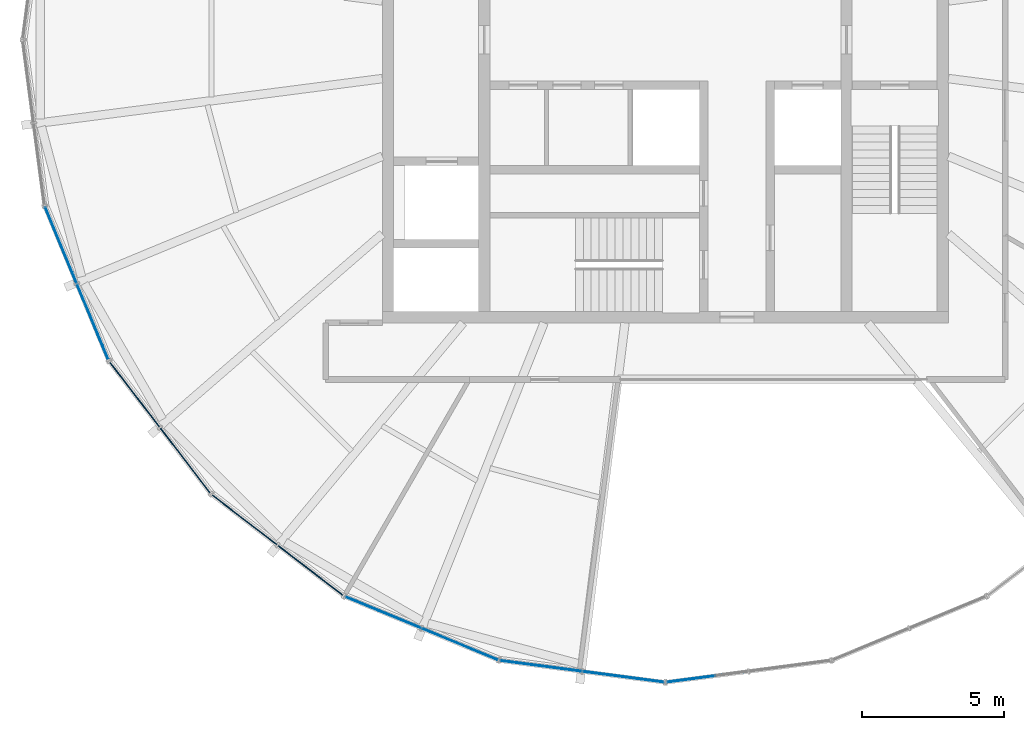
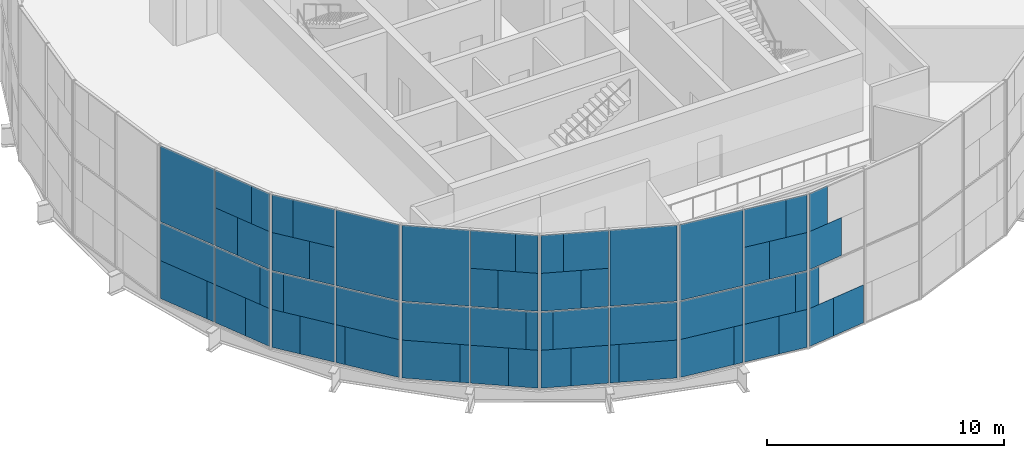
# One storey, part 8 of 19: 65 plates, 6 elements without a shape of their own.
"""IFC4 building model written with IfcOpenShell, lengths in metres."""

from ifc_helpers import new_model, si_unit, direction, frame, origin, origin_2d, place, context, subcontext, project, spatial, rectangle, extrude, material, layer, layer_set, type_object, element, aggregate, save


model = new_model("IFC4")

# Units and contexts
model_context = context("Model", 3, precision=1e-05, world=origin(), true_north=direction((0.0, 1.0)))
body_context = subcontext(model_context, "Body", "Model", "MODEL_VIEW")
ifc_project = project(units=[si_unit("LENGTHUNIT", "METRE"), si_unit("AREAUNIT", "SQUARE_METRE"), si_unit("VOLUMEUNIT", "CUBIC_METRE"), si_unit("PLANEANGLEUNIT", "RADIAN"), si_unit("MASSUNIT", "GRAM", prefix="KILO")], contexts=[model_context])

# Site, building, storey
site_placement = place(None, origin())
site = spatial("IfcSite", under=ifc_project, at=site_placement, CompositionType="ELEMENT")
building_placement = place(site_placement, origin())
building = spatial("IfcBuilding", under=site, at=building_placement, Name="Golbaran Civic Tower", CompositionType="ELEMENT")
storey_placement = place(building_placement, frame((0.0, 0.0, 240.0)))
storey = spatial("IfcBuildingStorey", under=building, at=storey_placement, Name="L58", CompositionType="ELEMENT", Elevation=240.0)

# Curtain wall, plates
ifc_material_1 = material(Name="Aluminium and glass", Category="aluminium")
curtain_wall_type = type_object("IfcCurtainWallType", Name="INNER SKIN CURTAIN WALL EXECUTIVE", PredefinedType="NOTDEFINED", material=ifc_material_1)
curtain_wall_1_placement = place(storey_placement, origin())
curtain_wall_1 = element("IfcCurtainWall", 1, at=curtain_wall_1_placement, inside=storey, type_object=curtain_wall_type, Name="Inner skin L58 facet 14 CW2", ObjectType="INNER SKIN", PredefinedType="USERDEFINED")
ifc_material_2 = material(Name="Clear insulating glass", Category="glass")
ifc_layer_1 = layer(ifc_material_2, 0.031982421875, Name="Clear insulating glass")
ifc_layer_set_1 = layer_set([ifc_layer_1], Name="Clear insulating glass")
plate_type_1 = type_object("IfcPlateType", Name="INNER SKIN CURTAIN WALL EXECUTIVE GLAZED PANEL", PredefinedType="CURTAIN_PANEL", material=ifc_layer_set_1)
plate_1_placement = place(storey_placement, frame((-21.4306640625, -7.072021484375, 0.06005859375), z_axis=(0.0, 0.0, 1.0), x_axis=(0.382683432397, -0.923879532498, 0.0)))
plate_1 = element("IfcPlate", 2, at=plate_1_placement, type_object=plate_type_1, Name="CW2 panel 1.1 part 1", PredefinedType="CURTAIN_PANEL", context=body_context, shape_type="SweptSolid", body=[
    extrude(rectangle(XDim=2.470947265625, YDim=0.031982421875, at=origin_2d()), origin(), (0.0, 0.0, 1.0), 1.955078125),
])
plate_2_placement = place(storey_placement, frame((-21.353759765625, -7.2578125, 2.014892578125), z_axis=(0.0, 0.0, 1.0), x_axis=(0.382683432397, -0.923879532498, 0.0)))
plate_2 = element("IfcPlate", 3, at=plate_2_placement, type_object=plate_type_1, Name="CW2 panel 1.1 part 3", PredefinedType="CURTAIN_PANEL", context=body_context, shape_type="SweptSolid", body=[
    extrude(rectangle(XDim=2.873046875, YDim=0.031982421875, at=origin_2d()), origin(), (0.0, 0.0, 1.0), 1.955078125),
])
plate_3_placement = place(storey_placement, frame((-21.353759765625, -7.2578125, 4.0302734375), z_axis=(0.0, 0.0, 1.0), x_axis=(0.382683432397, -0.923879532498, 0.0)))
plate_3 = element("IfcPlate", 4, at=plate_3_placement, type_object=plate_type_1, Name="CW2 panel 1.2", PredefinedType="CURTAIN_PANEL", context=body_context, shape_type="SweptSolid", body=[
    extrude(rectangle(XDim=2.873046875, YDim=0.031982421875, at=origin_2d()), origin(), (0.0, 0.0, 1.0), 3.909912109375),
])
plate_4_placement = place(storey_placement, frame((-19.9248046875, -10.7080078125, 0.06005859375), z_axis=(0.0, 0.0, 1.0), x_axis=(0.382683432397, -0.923879532498, 0.0)))
plate_4 = element("IfcPlate", 5, at=plate_4_placement, type_object=plate_type_1, Name="CW2 panel 2.1 part 2", PredefinedType="CURTAIN_PANEL", context=body_context, shape_type="SweptSolid", body=[
    extrude(rectangle(XDim=1.27001953125, YDim=0.031982421875, at=origin_2d()), origin(), (0.0, 0.0, 1.0), 1.955078125),
])
plate_5_placement = place(storey_placement, frame((-19.780517578125, -11.05615234375, 2.014892578125), z_axis=(0.0, 0.0, 1.0), x_axis=(0.382683432397, -0.923879532498, 0.0)))
plate_5 = element("IfcPlate", 6, at=plate_5_placement, type_object=plate_type_1, Name="CW2 panel 2.1 part 4", PredefinedType="CURTAIN_PANEL", context=body_context, shape_type="SweptSolid", body=[
    extrude(rectangle(XDim=0.515869140625, YDim=0.031982421875, at=origin_2d()), origin(), (0.0, 0.0, 1.0), 1.955078125),
])
plate_6_placement = place(storey_placement, frame((-20.559326171875, -9.17626953125, 4.030029296875), z_axis=(0.0, 0.0, 1.0), x_axis=(0.382683432397, -0.923879532498, 0.0)))
plate_6 = element("IfcPlate", 7, at=plate_6_placement, type_object=plate_type_1, Name="CW2 panel 2.2 part 1", PredefinedType="CURTAIN_PANEL", context=body_context, shape_type="SweptSolid", body=[
    extrude(rectangle(XDim=1.159912109375, YDim=0.031982421875, at=origin_2d()), origin(), (0.0, 0.0, 1.0), 1.955078125),
])
plate_7_placement = place(storey_placement, frame((-20.4150390625, -9.5244140625, 5.98486328125), z_axis=(0.0, 0.0, 1.0), x_axis=(0.382683432397, -0.923879532498, 0.0)))
plate_7 = element("IfcPlate", 8, at=plate_7_placement, type_object=plate_type_1, Name="CW2 panel 2.2 part 3", PredefinedType="CURTAIN_PANEL", context=body_context, shape_type="SweptSolid", body=[
    extrude(rectangle(XDim=1.9140625, YDim=0.031982421875, at=origin_2d()), origin(), (0.0, 0.0, 1.0), 1.955078125),
])

curtain_wall_2_placement = place(storey_placement, origin())
curtain_wall_2 = element("IfcCurtainWall", 9, at=curtain_wall_2_placement, inside=storey, type_object=curtain_wall_type, Name="Inner skin L58 facet 15 CW2", ObjectType="INNER SKIN", PredefinedType="USERDEFINED")
plate_8_placement = place(storey_placement, frame((-19.235595703125, -11.9013671875, 0.06005859375), z_axis=(0.0, 0.0, 1.0), x_axis=(0.608761429009, -0.793353340291, 0.0)))
plate_8 = element("IfcPlate", 10, at=plate_8_placement, type_object=plate_type_1, Name="CW2 panel 1.1 part 1", PredefinedType="CURTAIN_PANEL", context=body_context, shape_type="SweptSolid", body=[
    extrude(rectangle(XDim=1.27001953125, YDim=0.031982421875, at=origin_2d()), origin(), (0.0, 0.0, 1.0), 1.955078125),
])
plate_9_placement = place(storey_placement, frame((-19.465087890625, -11.602294921875, 2.014892578125), z_axis=(0.0, 0.0, 1.0), x_axis=(0.608761429009, -0.793353340291, 0.0)))
plate_9 = element("IfcPlate", 11, at=plate_9_placement, type_object=plate_type_1, Name="CW2 panel 1.1 part 3", PredefinedType="CURTAIN_PANEL", context=body_context, shape_type="SweptSolid", body=[
    extrude(rectangle(XDim=0.51611328125, YDim=0.031982421875, at=origin_2d()), origin(), (0.0, 0.0, 1.0), 1.955078125),
])
plate_10_placement = place(storey_placement, frame((-18.226318359375, -13.216796875, 4.030029296875), z_axis=(0.0, 0.0, 1.0), x_axis=(0.608761429009, -0.793353340291, 0.0)))
plate_10 = element("IfcPlate", 12, at=plate_10_placement, type_object=plate_type_1, Name="CW2 panel 1.2 part 2", PredefinedType="CURTAIN_PANEL", context=body_context, shape_type="SweptSolid", body=[
    extrude(rectangle(XDim=1.159912109375, YDim=0.031982421875, at=origin_2d()), origin(), (0.0, 0.0, 1.0), 1.955078125),
])
plate_11_placement = place(storey_placement, frame((-18.455810546875, -12.917724609375, 5.98486328125), z_axis=(0.0, 0.0, 1.0), x_axis=(0.608761429009, -0.793353340291, 0.0)))
plate_11 = element("IfcPlate", 13, at=plate_11_placement, type_object=plate_type_1, Name="CW2 panel 1.2 part 4", PredefinedType="CURTAIN_PANEL", context=body_context, shape_type="SweptSolid", body=[
    extrude(rectangle(XDim=1.9140625, YDim=0.031982421875, at=origin_2d()), origin(), (0.0, 0.0, 1.0), 1.955078125),
])
plate_12_placement = place(storey_placement, frame((-16.84033203125, -15.023193359375, 0.06005859375), z_axis=(0.0, 0.0, 1.0), x_axis=(0.608761429009, -0.793353340291, 0.0)))
plate_12 = element("IfcPlate", 14, at=plate_12_placement, type_object=plate_type_1, Name="CW2 panel 2.1 part 2", PredefinedType="CURTAIN_PANEL", context=body_context, shape_type="SweptSolid", body=[
    extrude(rectangle(XDim=2.471923828125, YDim=0.031982421875, at=origin_2d()), origin(), (0.0, 0.0, 1.0), 1.955078125),
])
plate_13_placement = place(storey_placement, frame((-16.96240234375, -14.864013671875, 2.014892578125), z_axis=(0.0, 0.0, 1.0), x_axis=(0.608761429009, -0.793353340291, 0.0)))
plate_13 = element("IfcPlate", 15, at=plate_13_placement, type_object=plate_type_1, Name="CW2 panel 2.1 part 3", PredefinedType="CURTAIN_PANEL", context=body_context, shape_type="SweptSolid", body=[
    extrude(rectangle(XDim=2.873046875, YDim=0.031982421875, at=origin_2d()), origin(), (0.0, 0.0, 1.0), 1.955078125),
])
plate_14_placement = place(storey_placement, frame((-16.96240234375, -14.864013671875, 4.0302734375), z_axis=(0.0, 0.0, 1.0), x_axis=(0.608761429009, -0.793353340291, 0.0)))
plate_14 = element("IfcPlate", 16, at=plate_14_placement, type_object=plate_type_1, Name="CW2 panel 2.2", PredefinedType="CURTAIN_PANEL", context=body_context, shape_type="SweptSolid", body=[
    extrude(rectangle(XDim=2.873046875, YDim=0.031982421875, at=origin_2d()), origin(), (0.0, 0.0, 1.0), 3.909912109375),
])

curtain_wall_3_placement = place(storey_placement, origin())
curtain_wall_3 = element("IfcCurtainWall", 17, at=curtain_wall_3_placement, inside=storey, type_object=curtain_wall_type, Name="Inner skin L58 facet 16 CW2", ObjectType="INNER SKIN", PredefinedType="USERDEFINED")
plate_15_placement = place(storey_placement, frame((-15.0234375, -16.840087890625, 0.06005859375), z_axis=(0.0, 0.0, 1.0), x_axis=(0.793353340291, -0.608761429009, 0.0)))
plate_15 = element("IfcPlate", 18, at=plate_15_placement, type_object=plate_type_1, Name="CW2 panel 1.1 part 1", PredefinedType="CURTAIN_PANEL", context=body_context, shape_type="SweptSolid", body=[
    extrude(rectangle(XDim=2.470947265625, YDim=0.031982421875, at=origin_2d()), origin(), (0.0, 0.0, 1.0), 1.955078125),
])
plate_16_placement = place(storey_placement, frame((-14.864013671875, -16.96240234375, 2.014892578125), z_axis=(0.0, 0.0, 1.0), x_axis=(0.793353340291, -0.608761429009, 0.0)))
plate_16 = element("IfcPlate", 19, at=plate_16_placement, type_object=plate_type_1, Name="CW2 panel 1.1 part 3", PredefinedType="CURTAIN_PANEL", context=body_context, shape_type="SweptSolid", body=[
    extrude(rectangle(XDim=2.873046875, YDim=0.031982421875, at=origin_2d()), origin(), (0.0, 0.0, 1.0), 1.955078125),
])
plate_17_placement = place(storey_placement, frame((-14.864013671875, -16.96240234375, 4.0302734375), z_axis=(0.0, 0.0, 1.0), x_axis=(0.793353340291, -0.608761429009, 0.0)))
plate_17 = element("IfcPlate", 20, at=plate_17_placement, type_object=plate_type_1, Name="CW2 panel 1.2", PredefinedType="CURTAIN_PANEL", context=body_context, shape_type="SweptSolid", body=[
    extrude(rectangle(XDim=2.873046875, YDim=0.031982421875, at=origin_2d()), origin(), (0.0, 0.0, 1.0), 3.909912109375),
])
plate_18_placement = place(storey_placement, frame((-11.9013671875, -19.235595703125, 0.06005859375), z_axis=(0.0, 0.0, 1.0), x_axis=(0.793353340291, -0.608761429009, 0.0)))
plate_18 = element("IfcPlate", 21, at=plate_18_placement, type_object=plate_type_1, Name="CW2 panel 2.1 part 2", PredefinedType="CURTAIN_PANEL", context=body_context, shape_type="SweptSolid", body=[
    extrude(rectangle(XDim=1.27001953125, YDim=0.031982421875, at=origin_2d()), origin(), (0.0, 0.0, 1.0), 1.955078125),
])
plate_19_placement = place(storey_placement, frame((-11.602294921875, -19.465087890625, 2.014892578125), z_axis=(0.0, 0.0, 1.0), x_axis=(0.793353340291, -0.608761429009, 0.0)))
plate_19 = element("IfcPlate", 22, at=plate_19_placement, type_object=plate_type_1, Name="CW2 panel 2.1 part 4", PredefinedType="CURTAIN_PANEL", context=body_context, shape_type="SweptSolid", body=[
    extrude(rectangle(XDim=0.515869140625, YDim=0.031982421875, at=origin_2d()), origin(), (0.0, 0.0, 1.0), 1.955078125),
])
plate_20_placement = place(storey_placement, frame((-13.216796875, -18.226318359375, 4.030029296875), z_axis=(0.0, 0.0, 1.0), x_axis=(0.793353340291, -0.608761429009, 0.0)))
plate_20 = element("IfcPlate", 23, at=plate_20_placement, type_object=plate_type_1, Name="CW2 panel 2.2 part 1", PredefinedType="CURTAIN_PANEL", context=body_context, shape_type="SweptSolid", body=[
    extrude(rectangle(XDim=1.159912109375, YDim=0.031982421875, at=origin_2d()), origin(), (0.0, 0.0, 1.0), 1.955078125),
])
plate_21_placement = place(storey_placement, frame((-12.917724609375, -18.455810546875, 5.98486328125), z_axis=(0.0, 0.0, 1.0), x_axis=(0.793353340291, -0.608761429009, 0.0)))
plate_21 = element("IfcPlate", 24, at=plate_21_placement, type_object=plate_type_1, Name="CW2 panel 2.2 part 3", PredefinedType="CURTAIN_PANEL", context=body_context, shape_type="SweptSolid", body=[
    extrude(rectangle(XDim=1.9140625, YDim=0.031982421875, at=origin_2d()), origin(), (0.0, 0.0, 1.0), 1.955078125),
])

curtain_wall_4_placement = place(storey_placement, origin())
curtain_wall_4 = element("IfcCurtainWall", 25, at=curtain_wall_4_placement, inside=storey, type_object=curtain_wall_type, Name="Inner skin L58 facet 17 CW2", ObjectType="INNER SKIN", PredefinedType="USERDEFINED")
plate_22_placement = place(storey_placement, frame((-10.7080078125, -19.9248046875, 0.06005859375), z_axis=(0.0, 0.0, 1.0), x_axis=(0.923879532498, -0.382683432397, 0.0)))
plate_22 = element("IfcPlate", 26, at=plate_22_placement, type_object=plate_type_1, Name="CW2 panel 1.1 part 1", PredefinedType="CURTAIN_PANEL", context=body_context, shape_type="SweptSolid", body=[
    extrude(rectangle(XDim=1.27001953125, YDim=0.031982421875, at=origin_2d()), origin(), (0.0, 0.0, 1.0), 1.955078125),
])
plate_23_placement = place(storey_placement, frame((-11.05615234375, -19.780517578125, 2.014892578125), z_axis=(0.0, 0.0, 1.0), x_axis=(0.923879532498, -0.382683432397, 0.0)))
plate_23 = element("IfcPlate", 27, at=plate_23_placement, type_object=plate_type_1, Name="CW2 panel 1.1 part 3", PredefinedType="CURTAIN_PANEL", context=body_context, shape_type="SweptSolid", body=[
    extrude(rectangle(XDim=0.51611328125, YDim=0.031982421875, at=origin_2d()), origin(), (0.0, 0.0, 1.0), 1.955078125),
])
plate_24_placement = place(storey_placement, frame((-9.176025390625, -20.559326171875, 4.030029296875), z_axis=(0.0, 0.0, 1.0), x_axis=(0.923879532498, -0.382683432397, 0.0)))
plate_24 = element("IfcPlate", 28, at=plate_24_placement, type_object=plate_type_1, Name="CW2 panel 1.2 part 2", PredefinedType="CURTAIN_PANEL", context=body_context, shape_type="SweptSolid", body=[
    extrude(rectangle(XDim=1.159912109375, YDim=0.031982421875, at=origin_2d()), origin(), (0.0, 0.0, 1.0), 1.955078125),
])
plate_25_placement = place(storey_placement, frame((-9.5244140625, -20.4150390625, 5.98486328125), z_axis=(0.0, 0.0, 1.0), x_axis=(0.923879532498, -0.382683432397, 0.0)))
plate_25 = element("IfcPlate", 29, at=plate_25_placement, type_object=plate_type_1, Name="CW2 panel 1.2 part 4", PredefinedType="CURTAIN_PANEL", context=body_context, shape_type="SweptSolid", body=[
    extrude(rectangle(XDim=1.9140625, YDim=0.031982421875, at=origin_2d()), origin(), (0.0, 0.0, 1.0), 1.955078125),
])
plate_26_placement = place(storey_placement, frame((-7.072509765625, -21.4306640625, 0.06005859375), z_axis=(0.0, 0.0, 1.0), x_axis=(0.923879532498, -0.382683432397, 0.0)))
plate_26 = element("IfcPlate", 30, at=plate_26_placement, type_object=plate_type_1, Name="CW2 panel 2.1 part 2", PredefinedType="CURTAIN_PANEL", context=body_context, shape_type="SweptSolid", body=[
    extrude(rectangle(XDim=2.471923828125, YDim=0.031982421875, at=origin_2d()), origin(), (0.0, 0.0, 1.0), 1.955078125),
])
plate_27_placement = place(storey_placement, frame((-7.2578125, -21.353759765625, 2.014892578125), z_axis=(0.0, 0.0, 1.0), x_axis=(0.923879532498, -0.382683432397, 0.0)))
plate_27 = element("IfcPlate", 31, at=plate_27_placement, type_object=plate_type_1, Name="CW2 panel 2.1 part 3", PredefinedType="CURTAIN_PANEL", context=body_context, shape_type="SweptSolid", body=[
    extrude(rectangle(XDim=2.873046875, YDim=0.031982421875, at=origin_2d()), origin(), (0.0, 0.0, 1.0), 1.955078125),
])
plate_28_placement = place(storey_placement, frame((-7.2578125, -21.353759765625, 4.0302734375), z_axis=(0.0, 0.0, 1.0), x_axis=(0.923879532498, -0.382683432397, 0.0)))
plate_28 = element("IfcPlate", 32, at=plate_28_placement, type_object=plate_type_1, Name="CW2 panel 2.2", PredefinedType="CURTAIN_PANEL", context=body_context, shape_type="SweptSolid", body=[
    extrude(rectangle(XDim=2.873046875, YDim=0.031982421875, at=origin_2d()), origin(), (0.0, 0.0, 1.0), 3.909912109375),
])

curtain_wall_5_placement = place(storey_placement, origin())
curtain_wall_5 = element("IfcCurtainWall", 33, at=curtain_wall_5_placement, inside=storey, type_object=curtain_wall_type, Name="Inner skin L58 facet 18 CW2", ObjectType="INNER SKIN", PredefinedType="USERDEFINED")
plate_29_placement = place(storey_placement, frame((-4.5908203125, -22.095703125, 0.06005859375), z_axis=(0.0, 0.0, 1.0), x_axis=(0.991444861381, -0.130526192168, 0.0)))
plate_29 = element("IfcPlate", 34, at=plate_29_placement, type_object=plate_type_1, Name="CW2 panel 1.1 part 1", PredefinedType="CURTAIN_PANEL", context=body_context, shape_type="SweptSolid", body=[
    extrude(rectangle(XDim=2.470947265625, YDim=0.031982421875, at=origin_2d()), origin(), (0.0, 0.0, 1.0), 1.955078125),
])
plate_30_placement = place(storey_placement, frame((-4.3916015625, -22.121826171875, 2.014892578125), z_axis=(0.0, 0.0, 1.0), x_axis=(0.991444861381, -0.130526192168, 0.0)))
plate_30 = element("IfcPlate", 35, at=plate_30_placement, type_object=plate_type_1, Name="CW2 panel 1.1 part 3", PredefinedType="CURTAIN_PANEL", context=body_context, shape_type="SweptSolid", body=[
    extrude(rectangle(XDim=2.873046875, YDim=0.031982421875, at=origin_2d()), origin(), (0.0, 0.0, 1.0), 1.955078125),
])
plate_31_placement = place(storey_placement, frame((-4.3916015625, -22.121826171875, 4.0302734375), z_axis=(0.0, 0.0, 1.0), x_axis=(0.991444861381, -0.130526192168, 0.0)))
plate_31 = element("IfcPlate", 36, at=plate_31_placement, type_object=plate_type_1, Name="CW2 panel 1.2", PredefinedType="CURTAIN_PANEL", context=body_context, shape_type="SweptSolid", body=[
    extrude(rectangle(XDim=2.873046875, YDim=0.031982421875, at=origin_2d()), origin(), (0.0, 0.0, 1.0), 3.909912109375),
])
plate_32_placement = place(storey_placement, frame((-0.68896484375, -22.609375, 0.06005859375), z_axis=(0.0, 0.0, 1.0), x_axis=(0.991444861381, -0.130526192168, 0.0)))
plate_32 = element("IfcPlate", 37, at=plate_32_placement, type_object=plate_type_1, Name="CW2 panel 2.1 part 2", PredefinedType="CURTAIN_PANEL", context=body_context, shape_type="SweptSolid", body=[
    extrude(rectangle(XDim=1.27001953125, YDim=0.031982421875, at=origin_2d()), origin(), (0.0, 0.0, 1.0), 1.955078125),
])
plate_33_placement = place(storey_placement, frame((-0.315185546875, -22.658447265625, 2.014892578125), z_axis=(0.0, 0.0, 1.0), x_axis=(0.991444861381, -0.130526192168, 0.0)))
plate_33 = element("IfcPlate", 38, at=plate_33_placement, type_object=plate_type_1, Name="CW2 panel 2.1 part 4", PredefinedType="CURTAIN_PANEL", context=body_context, shape_type="SweptSolid", body=[
    extrude(rectangle(XDim=0.515869140625, YDim=0.031982421875, at=origin_2d()), origin(), (0.0, 0.0, 1.0), 1.955078125),
])
plate_34_placement = place(storey_placement, frame((-2.332763671875, -22.392822265625, 4.030029296875), z_axis=(0.0, 0.0, 1.0), x_axis=(0.991444861381, -0.130526192168, 0.0)))
plate_34 = element("IfcPlate", 39, at=plate_34_placement, type_object=plate_type_1, Name="CW2 panel 2.2 part 1", PredefinedType="CURTAIN_PANEL", context=body_context, shape_type="SweptSolid", body=[
    extrude(rectangle(XDim=1.159912109375, YDim=0.031982421875, at=origin_2d()), origin(), (0.0, 0.0, 1.0), 1.955078125),
])
plate_35_placement = place(storey_placement, frame((-1.958984375, -22.442138671875, 5.98486328125), z_axis=(0.0, 0.0, 1.0), x_axis=(0.991444861381, -0.130526192168, 0.0)))
plate_35 = element("IfcPlate", 40, at=plate_35_placement, type_object=plate_type_1, Name="CW2 panel 2.2 part 3", PredefinedType="CURTAIN_PANEL", context=body_context, shape_type="SweptSolid", body=[
    extrude(rectangle(XDim=1.9140625, YDim=0.031982421875, at=origin_2d()), origin(), (0.0, 0.0, 1.0), 1.955078125),
])

curtain_wall_6_placement = place(storey_placement, origin())
curtain_wall_6 = element("IfcCurtainWall", 41, at=curtain_wall_6_placement, inside=storey, type_object=curtain_wall_type, Name="Inner skin L58 facet 19 CW2", ObjectType="INNER SKIN", PredefinedType="USERDEFINED")
plate_36_placement = place(storey_placement, frame((0.68896484375, -22.609375, 0.06005859375), z_axis=(0.0, 0.0, 1.0), x_axis=(0.991444861381, 0.130526192168, 0.0)))
plate_36 = element("IfcPlate", 42, at=plate_36_placement, type_object=plate_type_1, Name="CW2 panel 1.1 part 1", PredefinedType="CURTAIN_PANEL", context=body_context, shape_type="SweptSolid", body=[
    extrude(rectangle(XDim=1.27001953125, YDim=0.031982421875, at=origin_2d()), origin(), (0.0, 0.0, 1.0), 1.955078125),
])
plate_37_placement = place(storey_placement, frame((0.315185546875, -22.658447265625, 2.014892578125), z_axis=(0.0, 0.0, 1.0), x_axis=(0.991444861381, 0.130526192168, 0.0)))
plate_37 = element("IfcPlate", 43, at=plate_37_placement, type_object=plate_type_1, Name="CW2 panel 1.1 part 3", PredefinedType="CURTAIN_PANEL", context=body_context, shape_type="SweptSolid", body=[
    extrude(rectangle(XDim=0.51611328125, YDim=0.031982421875, at=origin_2d()), origin(), (0.0, 0.0, 1.0), 1.955078125),
])

# Plate
ifc_material_3 = material(Name="Aluminium faced opaque infill panel", Category="aluminium")
ifc_layer_2 = layer(ifc_material_3, 0.031982421875, Name="Aluminium faced opaque infill panel")
ifc_layer_set_2 = layer_set([ifc_layer_2], Name="Aluminium faced opaque infill panel")
plate_type_2 = type_object("IfcPlateType", Name="INNER SKIN CURTAIN WALL EXECUTIVE OPAQUE INFILL PANEL", PredefinedType="CURTAIN_PANEL", material=ifc_layer_set_2)
plate_38_placement = place(storey_placement, frame((-20.881103515625, -8.399169921875, 0.06005859375), z_axis=(0.0, 0.0, 1.0), x_axis=(0.382683432397, -0.923879532498, 0.0)))
plate_38 = element("IfcPlate", 44, at=plate_38_placement, type_object=plate_type_2, Name="CW2 infill panel 1.1 part 2", PredefinedType="CURTAIN_PANEL", context=body_context, shape_type="SweptSolid", body=[
    extrude(rectangle(XDim=0.40185546875, YDim=0.031982421875, at=origin_2d()), origin(), (0.0, 0.0, 1.0), 1.955078125),
])

plate_39_placement = place(storey_placement, frame((-20.474365234375, -9.380859375, 0.06005859375), z_axis=(0.0, 0.0, 1.0), x_axis=(0.382683432397, -0.923879532498, 0.0)))
plate_39 = element("IfcPlate", 45, at=plate_39_placement, type_object=plate_type_2, Name="CW2 infill panel 2.1 part 1", PredefinedType="CURTAIN_PANEL", context=body_context, shape_type="SweptSolid", body=[
    extrude(rectangle(XDim=1.60302734375, YDim=0.031982421875, at=origin_2d()), origin(), (0.0, 0.0, 1.0), 1.955078125),
])

plate_40_placement = place(storey_placement, frame((-20.330078125, -9.72900390625, 2.014892578125), z_axis=(0.0, 0.0, 1.0), x_axis=(0.382683432397, -0.923879532498, 0.0)))
plate_40 = element("IfcPlate", 46, at=plate_40_placement, type_object=plate_type_2, Name="CW2 infill panel 2.1 part 3", PredefinedType="CURTAIN_PANEL", context=body_context, shape_type="SweptSolid", body=[
    extrude(rectangle(XDim=2.35693359375, YDim=0.031982421875, at=origin_2d()), origin(), (0.0, 0.0, 1.0), 1.955078125),
])

plate_41_placement = place(storey_placement, frame((-20.009521484375, -10.503173828125, 4.030029296875), z_axis=(0.0, 0.0, 1.0), x_axis=(0.382683432397, -0.923879532498, 0.0)))
plate_41 = element("IfcPlate", 47, at=plate_41_placement, type_object=plate_type_2, Name="CW2 infill panel 2.2 part 2", PredefinedType="CURTAIN_PANEL", context=body_context, shape_type="SweptSolid", body=[
    extrude(rectangle(XDim=1.712890625, YDim=0.031982421875, at=origin_2d()), origin(), (0.0, 0.0, 1.0), 1.955078125),
])

plate_42_placement = place(storey_placement, frame((-19.865234375, -10.8515625, 5.98486328125), z_axis=(0.0, 0.0, 1.0), x_axis=(0.382683432397, -0.923879532498, 0.0)))
plate_42 = element("IfcPlate", 48, at=plate_42_placement, type_object=plate_type_2, Name="CW2 infill panel 2.2 part 4", PredefinedType="CURTAIN_PANEL", context=body_context, shape_type="SweptSolid", body=[
    extrude(rectangle(XDim=0.958984375, YDim=0.031982421875, at=origin_2d()), origin(), (0.0, 0.0, 1.0), 1.955078125),
])

aggregate(curtain_wall_1, [plate_1, plate_38, plate_2, plate_3, plate_39, plate_4, plate_40, plate_5, plate_6, plate_41, plate_7, plate_42])

plate_43_placement = place(storey_placement, frame((-18.361328125, -13.041015625, 0.06005859375), z_axis=(0.0, 0.0, 1.0), x_axis=(0.608761429009, -0.793353340291, 0.0)))
plate_43 = element("IfcPlate", 49, at=plate_43_placement, type_object=plate_type_2, Name="CW2 infill panel 1.1 part 2", PredefinedType="CURTAIN_PANEL", context=body_context, shape_type="SweptSolid", body=[
    extrude(rectangle(XDim=1.60302734375, YDim=0.031982421875, at=origin_2d()), origin(), (0.0, 0.0, 1.0), 1.955078125),
])

plate_44_placement = place(storey_placement, frame((-18.5908203125, -12.741943359375, 2.014892578125), z_axis=(0.0, 0.0, 1.0), x_axis=(0.608761429009, -0.793353340291, 0.0)))
plate_44 = element("IfcPlate", 50, at=plate_44_placement, type_object=plate_type_2, Name="CW2 infill panel 1.1 part 4", PredefinedType="CURTAIN_PANEL", context=body_context, shape_type="SweptSolid", body=[
    extrude(rectangle(XDim=2.35693359375, YDim=0.031982421875, at=origin_2d()), origin(), (0.0, 0.0, 1.0), 1.955078125),
])

plate_45_placement = place(storey_placement, frame((-19.100830078125, -12.0771484375, 4.030029296875), z_axis=(0.0, 0.0, 1.0), x_axis=(0.608761429009, -0.793353340291, 0.0)))
plate_45 = element("IfcPlate", 51, at=plate_45_placement, type_object=plate_type_2, Name="CW2 infill panel 1.2 part 1", PredefinedType="CURTAIN_PANEL", context=body_context, shape_type="SweptSolid", body=[
    extrude(rectangle(XDim=1.712890625, YDim=0.031982421875, at=origin_2d()), origin(), (0.0, 0.0, 1.0), 1.955078125),
])

plate_46_placement = place(storey_placement, frame((-19.330322265625, -11.778076171875, 5.98486328125), z_axis=(0.0, 0.0, 1.0), x_axis=(0.608761429009, -0.793353340291, 0.0)))
plate_46 = element("IfcPlate", 52, at=plate_46_placement, type_object=plate_type_2, Name="CW2 infill panel 1.2 part 3", PredefinedType="CURTAIN_PANEL", context=body_context, shape_type="SweptSolid", body=[
    extrude(rectangle(XDim=0.958984375, YDim=0.031982421875, at=origin_2d()), origin(), (0.0, 0.0, 1.0), 1.955078125),
])

plate_47_placement = place(storey_placement, frame((-17.71484375, -13.883544921875, 0.06005859375), z_axis=(0.0, 0.0, 1.0), x_axis=(0.608761429009, -0.793353340291, 0.0)))
plate_47 = element("IfcPlate", 53, at=plate_47_placement, type_object=plate_type_2, Name="CW2 infill panel 2.1 part 1", PredefinedType="CURTAIN_PANEL", context=body_context, shape_type="SweptSolid", body=[
    extrude(rectangle(XDim=0.40087890625, YDim=0.031982421875, at=origin_2d()), origin(), (0.0, 0.0, 1.0), 1.955078125),
])

aggregate(curtain_wall_2, [plate_8, plate_43, plate_9, plate_44, plate_45, plate_10, plate_46, plate_11, plate_47, plate_12, plate_13, plate_14])

plate_48_placement = place(storey_placement, frame((-13.8837890625, -17.71435546875, 0.06005859375), z_axis=(0.0, 0.0, 1.0), x_axis=(0.793353340291, -0.608761429009, 0.0)))
plate_48 = element("IfcPlate", 54, at=plate_48_placement, type_object=plate_type_2, Name="CW2 infill panel 1.1 part 2", PredefinedType="CURTAIN_PANEL", context=body_context, shape_type="SweptSolid", body=[
    extrude(rectangle(XDim=0.40185546875, YDim=0.031982421875, at=origin_2d()), origin(), (0.0, 0.0, 1.0), 1.955078125),
])

plate_49_placement = place(storey_placement, frame((-13.041015625, -18.361328125, 0.06005859375), z_axis=(0.0, 0.0, 1.0), x_axis=(0.793353340291, -0.608761429009, 0.0)))
plate_49 = element("IfcPlate", 55, at=plate_49_placement, type_object=plate_type_2, Name="CW2 infill panel 2.1 part 1", PredefinedType="CURTAIN_PANEL", context=body_context, shape_type="SweptSolid", body=[
    extrude(rectangle(XDim=1.60302734375, YDim=0.031982421875, at=origin_2d()), origin(), (0.0, 0.0, 1.0), 1.955078125),
])

plate_50_placement = place(storey_placement, frame((-12.741943359375, -18.5908203125, 2.014892578125), z_axis=(0.0, 0.0, 1.0), x_axis=(0.793353340291, -0.608761429009, 0.0)))
plate_50 = element("IfcPlate", 56, at=plate_50_placement, type_object=plate_type_2, Name="CW2 infill panel 2.1 part 3", PredefinedType="CURTAIN_PANEL", context=body_context, shape_type="SweptSolid", body=[
    extrude(rectangle(XDim=2.35693359375, YDim=0.031982421875, at=origin_2d()), origin(), (0.0, 0.0, 1.0), 1.955078125),
])

plate_51_placement = place(storey_placement, frame((-12.0771484375, -19.100830078125, 4.030029296875), z_axis=(0.0, 0.0, 1.0), x_axis=(0.793353340291, -0.608761429009, 0.0)))
plate_51 = element("IfcPlate", 57, at=plate_51_placement, type_object=plate_type_2, Name="CW2 infill panel 2.2 part 2", PredefinedType="CURTAIN_PANEL", context=body_context, shape_type="SweptSolid", body=[
    extrude(rectangle(XDim=1.712890625, YDim=0.031982421875, at=origin_2d()), origin(), (0.0, 0.0, 1.0), 1.955078125),
])

plate_52_placement = place(storey_placement, frame((-11.778076171875, -19.330322265625, 5.98486328125), z_axis=(0.0, 0.0, 1.0), x_axis=(0.793353340291, -0.608761429009, 0.0)))
plate_52 = element("IfcPlate", 58, at=plate_52_placement, type_object=plate_type_2, Name="CW2 infill panel 2.2 part 4", PredefinedType="CURTAIN_PANEL", context=body_context, shape_type="SweptSolid", body=[
    extrude(rectangle(XDim=0.958984375, YDim=0.031982421875, at=origin_2d()), origin(), (0.0, 0.0, 1.0), 1.955078125),
])

aggregate(curtain_wall_3, [plate_15, plate_48, plate_16, plate_17, plate_49, plate_18, plate_50, plate_19, plate_20, plate_51, plate_21, plate_52])

plate_53_placement = place(storey_placement, frame((-9.380859375, -20.474365234375, 0.06005859375), z_axis=(0.0, 0.0, 1.0), x_axis=(0.923879532498, -0.382683432397, 0.0)))
plate_53 = element("IfcPlate", 59, at=plate_53_placement, type_object=plate_type_2, Name="CW2 infill panel 1.1 part 2", PredefinedType="CURTAIN_PANEL", context=body_context, shape_type="SweptSolid", body=[
    extrude(rectangle(XDim=1.60302734375, YDim=0.031982421875, at=origin_2d()), origin(), (0.0, 0.0, 1.0), 1.955078125),
])

plate_54_placement = place(storey_placement, frame((-9.72900390625, -20.330078125, 2.014892578125), z_axis=(0.0, 0.0, 1.0), x_axis=(0.923879532498, -0.382683432397, 0.0)))
plate_54 = element("IfcPlate", 60, at=plate_54_placement, type_object=plate_type_2, Name="CW2 infill panel 1.1 part 4", PredefinedType="CURTAIN_PANEL", context=body_context, shape_type="SweptSolid", body=[
    extrude(rectangle(XDim=2.35693359375, YDim=0.031982421875, at=origin_2d()), origin(), (0.0, 0.0, 1.0), 1.955078125),
])

plate_55_placement = place(storey_placement, frame((-10.503173828125, -20.009521484375, 4.030029296875), z_axis=(0.0, 0.0, 1.0), x_axis=(0.923879532498, -0.382683432397, 0.0)))
plate_55 = element("IfcPlate", 61, at=plate_55_placement, type_object=plate_type_2, Name="CW2 infill panel 1.2 part 1", PredefinedType="CURTAIN_PANEL", context=body_context, shape_type="SweptSolid", body=[
    extrude(rectangle(XDim=1.712890625, YDim=0.031982421875, at=origin_2d()), origin(), (0.0, 0.0, 1.0), 1.955078125),
])

plate_56_placement = place(storey_placement, frame((-10.8515625, -19.865234375, 5.98486328125), z_axis=(0.0, 0.0, 1.0), x_axis=(0.923879532498, -0.382683432397, 0.0)))
plate_56 = element("IfcPlate", 62, at=plate_56_placement, type_object=plate_type_2, Name="CW2 infill panel 1.2 part 3", PredefinedType="CURTAIN_PANEL", context=body_context, shape_type="SweptSolid", body=[
    extrude(rectangle(XDim=0.958984375, YDim=0.031982421875, at=origin_2d()), origin(), (0.0, 0.0, 1.0), 1.955078125),
])

plate_57_placement = place(storey_placement, frame((-8.399658203125, -20.880859375, 0.06005859375), z_axis=(0.0, 0.0, 1.0), x_axis=(0.923879532498, -0.382683432397, 0.0)))
plate_57 = element("IfcPlate", 63, at=plate_57_placement, type_object=plate_type_2, Name="CW2 infill panel 2.1 part 1", PredefinedType="CURTAIN_PANEL", context=body_context, shape_type="SweptSolid", body=[
    extrude(rectangle(XDim=0.40087890625, YDim=0.031982421875, at=origin_2d()), origin(), (0.0, 0.0, 1.0), 1.955078125),
])

aggregate(curtain_wall_4, [plate_22, plate_53, plate_23, plate_54, plate_55, plate_24, plate_56, plate_25, plate_57, plate_26, plate_27, plate_28])

plate_58_placement = place(storey_placement, frame((-3.16650390625, -22.283203125, 0.06005859375), z_axis=(0.0, 0.0, 1.0), x_axis=(0.991444861381, -0.130526192168, 0.0)))
plate_58 = element("IfcPlate", 64, at=plate_58_placement, type_object=plate_type_2, Name="CW2 infill panel 1.1 part 2", PredefinedType="CURTAIN_PANEL", context=body_context, shape_type="SweptSolid", body=[
    extrude(rectangle(XDim=0.40185546875, YDim=0.031982421875, at=origin_2d()), origin(), (0.0, 0.0, 1.0), 1.955078125),
])

plate_59_placement = place(storey_placement, frame((-2.11328125, -22.421875, 0.06005859375), z_axis=(0.0, 0.0, 1.0), x_axis=(0.991444861381, -0.130526192168, 0.0)))
plate_59 = element("IfcPlate", 65, at=plate_59_placement, type_object=plate_type_2, Name="CW2 infill panel 2.1 part 1", PredefinedType="CURTAIN_PANEL", context=body_context, shape_type="SweptSolid", body=[
    extrude(rectangle(XDim=1.60302734375, YDim=0.031982421875, at=origin_2d()), origin(), (0.0, 0.0, 1.0), 1.955078125),
])

plate_60_placement = place(storey_placement, frame((-1.739501953125, -22.470947265625, 2.014892578125), z_axis=(0.0, 0.0, 1.0), x_axis=(0.991444861381, -0.130526192168, 0.0)))
plate_60 = element("IfcPlate", 66, at=plate_60_placement, type_object=plate_type_2, Name="CW2 infill panel 2.1 part 3", PredefinedType="CURTAIN_PANEL", context=body_context, shape_type="SweptSolid", body=[
    extrude(rectangle(XDim=2.35693359375, YDim=0.031982421875, at=origin_2d()), origin(), (0.0, 0.0, 1.0), 1.955078125),
])

plate_61_placement = place(storey_placement, frame((-0.90869140625, -22.580322265625, 4.030029296875), z_axis=(0.0, 0.0, 1.0), x_axis=(0.991444861381, -0.130526192168, 0.0)))
plate_61 = element("IfcPlate", 67, at=plate_61_placement, type_object=plate_type_2, Name="CW2 infill panel 2.2 part 2", PredefinedType="CURTAIN_PANEL", context=body_context, shape_type="SweptSolid", body=[
    extrude(rectangle(XDim=1.712890625, YDim=0.031982421875, at=origin_2d()), origin(), (0.0, 0.0, 1.0), 1.955078125),
])

plate_62_placement = place(storey_placement, frame((-0.534912109375, -22.629638671875, 5.98486328125), z_axis=(0.0, 0.0, 1.0), x_axis=(0.991444861381, -0.130526192168, 0.0)))
plate_62 = element("IfcPlate", 68, at=plate_62_placement, type_object=plate_type_2, Name="CW2 infill panel 2.2 part 4", PredefinedType="CURTAIN_PANEL", context=body_context, shape_type="SweptSolid", body=[
    extrude(rectangle(XDim=0.958984375, YDim=0.031982421875, at=origin_2d()), origin(), (0.0, 0.0, 1.0), 1.955078125),
])

aggregate(curtain_wall_5, [plate_29, plate_58, plate_30, plate_31, plate_59, plate_32, plate_60, plate_33, plate_34, plate_61, plate_35, plate_62])

plate_63_placement = place(storey_placement, frame((2.11328125, -22.421875, 0.06005859375), z_axis=(0.0, 0.0, 1.0), x_axis=(0.991444861381, 0.130526192168, 0.0)))
plate_63 = element("IfcPlate", 69, at=plate_63_placement, type_object=plate_type_2, Name="CW2 infill panel 1.1 part 2", PredefinedType="CURTAIN_PANEL", context=body_context, shape_type="SweptSolid", body=[
    extrude(rectangle(XDim=1.60302734375, YDim=0.031982421875, at=origin_2d()), origin(), (0.0, 0.0, 1.0), 1.955078125),
])

plate_64_placement = place(storey_placement, frame((0.90869140625, -22.580322265625, 4.030029296875), z_axis=(0.0, 0.0, 1.0), x_axis=(0.991444861381, 0.130526192168, 0.0)))
plate_64 = element("IfcPlate", 70, at=plate_64_placement, type_object=plate_type_2, Name="CW2 infill panel 1.2 part 1", PredefinedType="CURTAIN_PANEL", context=body_context, shape_type="SweptSolid", body=[
    extrude(rectangle(XDim=1.712890625, YDim=0.031982421875, at=origin_2d()), origin(), (0.0, 0.0, 1.0), 1.955078125),
])

plate_65_placement = place(storey_placement, frame((0.534912109375, -22.629638671875, 5.98486328125), z_axis=(0.0, 0.0, 1.0), x_axis=(0.991444861381, 0.130526192168, 0.0)))
plate_65 = element("IfcPlate", 71, at=plate_65_placement, type_object=plate_type_2, Name="CW2 infill panel 1.2 part 3", PredefinedType="CURTAIN_PANEL", context=body_context, shape_type="SweptSolid", body=[
    extrude(rectangle(XDim=0.958984375, YDim=0.031982421875, at=origin_2d()), origin(), (0.0, 0.0, 1.0), 1.955078125),
])

aggregate(curtain_wall_6, [plate_36, plate_63, plate_37, plate_64, plate_65])

save(model, "model.ifc")
